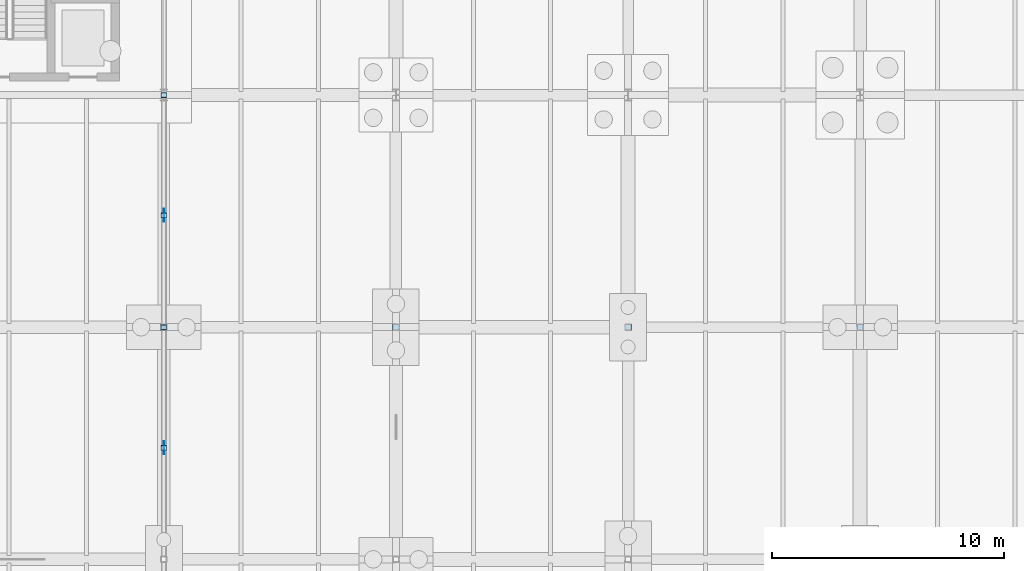
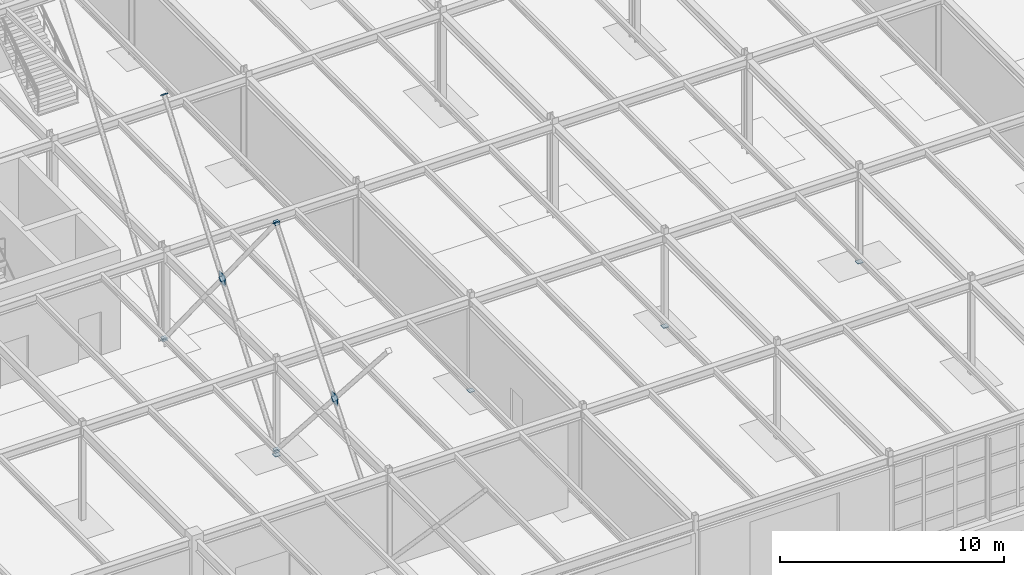
# One storey, part 108 of 145: 17 plates.
"""IFC4 building model written with IfcOpenShell, lengths in metres."""

from ifc_helpers import new_model, si_unit, direction, frame, origin, origin_2d, place, context, subcontext, project, spatial, rectangle, extrude, material, layer, layer_set, type_object, element, save


model = new_model("IFC4")

# Units and contexts
model_context = context("Model", 3, precision=1e-05, world=origin(), true_north=direction((0.0, 1.0)))
body_context = subcontext(model_context, "Body", "Model", "MODEL_VIEW")
ifc_project = project(units=[si_unit("LENGTHUNIT", "METRE"), si_unit("AREAUNIT", "SQUARE_METRE"), si_unit("VOLUMEUNIT", "CUBIC_METRE"), si_unit("PLANEANGLEUNIT", "RADIAN"), si_unit("MASSUNIT", "GRAM", prefix="KILO"), si_unit("THERMODYNAMICTEMPERATUREUNIT", "KELVIN"), si_unit("POWERUNIT", "WATT")], contexts=[model_context])

# Site, building, storey
site_placement = place(None, origin())
site = spatial("IfcSite", under=ifc_project, at=site_placement, CompositionType="ELEMENT")
building_placement = place(site_placement, origin())
building = spatial("IfcBuilding", under=site, at=building_placement, Name="Korenveer Ferry Terminal", CompositionType="ELEMENT")
storey_placement = place(building_placement, origin())
storey = spatial("IfcBuildingStorey", under=building, at=storey_placement, Name="L00", CompositionType="ELEMENT", Elevation=0.0)

# Plates
ifc_material = material(Name="Steel S355", Category="steel")
ifc_layer_1 = layer(ifc_material, 0.031982421875)
ifc_layer_set_1 = layer_set([ifc_layer_1], Name="Steel S355")
plate_type_1 = type_object("IfcPlateType", Name="STR-PLT-CAP32", PredefinedType="USERDEFINED", material=ifc_layer_set_1)
for number, where, z_axis, x_axis, name in (
    (1, (63.0, 40.0, -0.0322265625), (0.0, 0.0, 1.0), (1.0, 0.0, 0.0), "Hollow section end cap 17"),
    (2, (73.0, 40.0, -0.0322265625), (0.0, 0.0, 1.0), (1.0, 0.0, 0.0), "Hollow section end cap 20"),
    (3, (83.0, 40.0, -0.0322265625), (0.0, 0.0, 1.0), (1.0, 0.0, 0.0), "Hollow section end cap 23"),
    (4, (93.0, 40.0, -0.0322265625), (0.0, 0.0, 1.0), (1.0, 0.0, 0.0), "Hollow section end cap 26"),
):
    element("IfcPlate", number, at=place(storey_placement, frame(where, z_axis=z_axis, x_axis=x_axis)), inside=storey, type_object=plate_type_1, Name=name, ObjectType="END CAP PLATE", PredefinedType="USERDEFINED", context=body_context, shape_type="SweptSolid", body=[
        extrude(rectangle(XDim=0.280029296875, YDim=0.280029296875, at=origin_2d()), origin(), (0.0, 0.0, 1.0), 0.031982421875),
    ])
for number, where, z_axis, x_axis, name in (
    (5, (63.0, 40.0, 12.6142578125), (0.0, 0.628847979278, 0.777528275343), (-1.0, 0.0, 0.0), "Hollow section end cap 164"),
    (6, (63.0, 40.02099609375, 0.22607421875), (0.0, -0.657599163703, 0.753367997659), (1.0, 0.0, 0.0), "Hollow section end cap 165"),
    (7, (63.0, 34.809326171875, 6.196533203125), (0.0, -0.657599163703, 0.753367997659), (1.0, 0.0, 0.0), "Hollow section end cap 166"),
    (8, (63.0, 34.830322265625, 6.172607421875), (0.0, -0.657599163703, 0.753367997659), (1.0, 0.0, 0.0), "Hollow section end cap 167"),
    (9, (63.0, 39.98095703125, 0.224609375), (0.0, 0.601761010006, 0.798676209008), (-1.0, 0.0, 0.0), "Hollow section end cap 169"),
    (10, (63.0, 50.0, 13.5224609375), (0.0, 0.601761010006, 0.798676209008), (-1.0, 0.0, 0.0), "Hollow section end cap 170"),
    (11, (63.0, 50.02001953125, 0.22509765625), (0.0, -0.628847979278, 0.777528275343), (1.0, 0.0, 0.0), "Hollow section end cap 171"),
    (12, (63.0, 44.82275390625, 6.651123046875), (0.0, -0.628847979278, 0.777528275343), (1.0, 0.0, 0.0), "Hollow section end cap 172"),
    (13, (63.0, 44.843017578125, 6.626220703125), (0.0, -0.628847979278, 0.777528275343), (1.0, 0.0, 0.0), "Hollow section end cap 173"),
    (14, (63.0, 40.0, 12.6142578125), (0.0, -0.628847979278, 0.777528275343), (1.0, 0.0, 0.0), "Hollow section end cap 174"),
    (15, (63.0, 49.9814453125, 0.2236328125), (0.0, 0.576312878962, 0.817229138946), (-1.0, 0.0, 0.0), "Hollow section end cap 175"),
):
    element("IfcPlate", number, at=place(storey_placement, frame(where, z_axis=z_axis, x_axis=x_axis)), inside=storey, type_object=plate_type_1, Name=name, ObjectType="END CAP PLATE", PredefinedType="USERDEFINED", context=body_context, shape_type="SweptSolid", body=[
        extrude(rectangle(XDim=0.2490234375, YDim=0.2490234375, at=origin_2d()), origin(), (0.0, 0.0, 1.0), 0.031982421875),
    ])
ifc_layer_2 = layer(ifc_material, 0.02392578125)
ifc_layer_set_2 = layer_set([ifc_layer_2], Name="Steel S355")
plate_type_2 = type_object("IfcPlateType", Name="STR-PLT-GUS24", PredefinedType="USERDEFINED", material=ifc_layer_set_2)
for number, where, z_axis, x_axis, name in (
    (16, (62.988037109375, 34.809326171875, 6.196533203125), (1.0, 0.0, 0.0), (0.0, 1.0, 0.0), "X-brace crossing gusset plate 1"),
    (17, (62.988037109375, 44.822998046875, 6.651123046875), (1.0, 0.0, 0.0), (0.0, 1.0, 0.0), "X-brace crossing gusset plate 2"),
):
    element("IfcPlate", number, at=place(storey_placement, frame(where, z_axis=z_axis, x_axis=x_axis)), inside=storey, type_object=plate_type_2, Name=name, ObjectType="GUSSET PLATE", PredefinedType="USERDEFINED", context=body_context, shape_type="SweptSolid", body=[
        extrude(rectangle(XDim=0.550048828125, YDim=0.550048828125, at=origin_2d()), origin(), (0.0, 0.0, 1.0), 0.02392578125),
    ])

save(model, "model.ifc")
